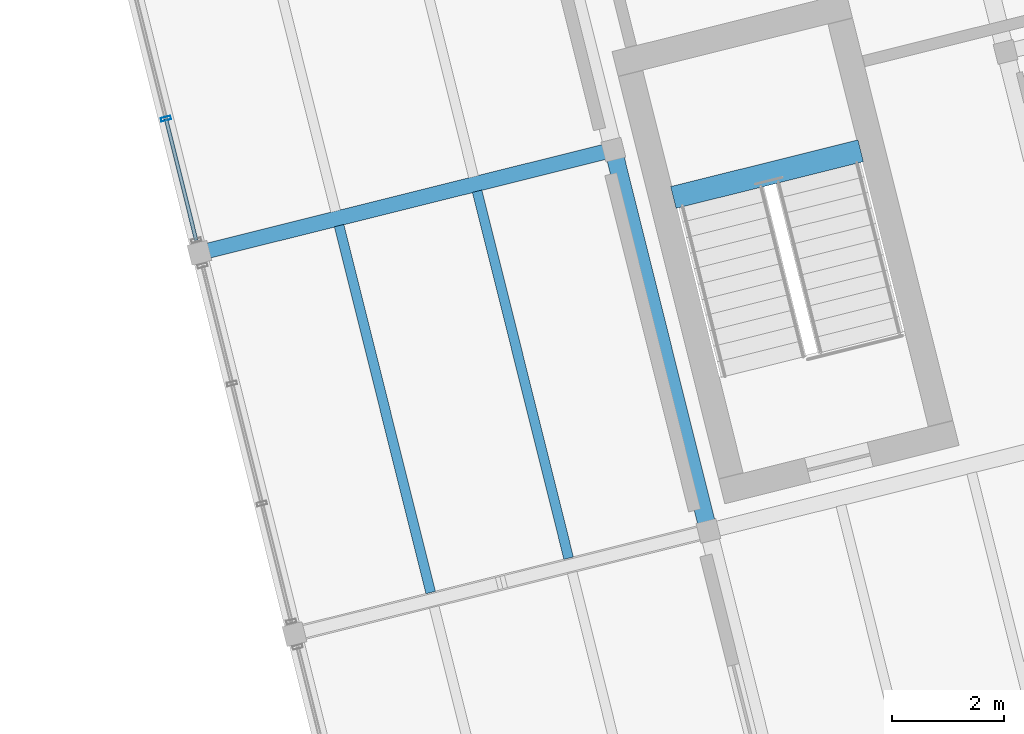
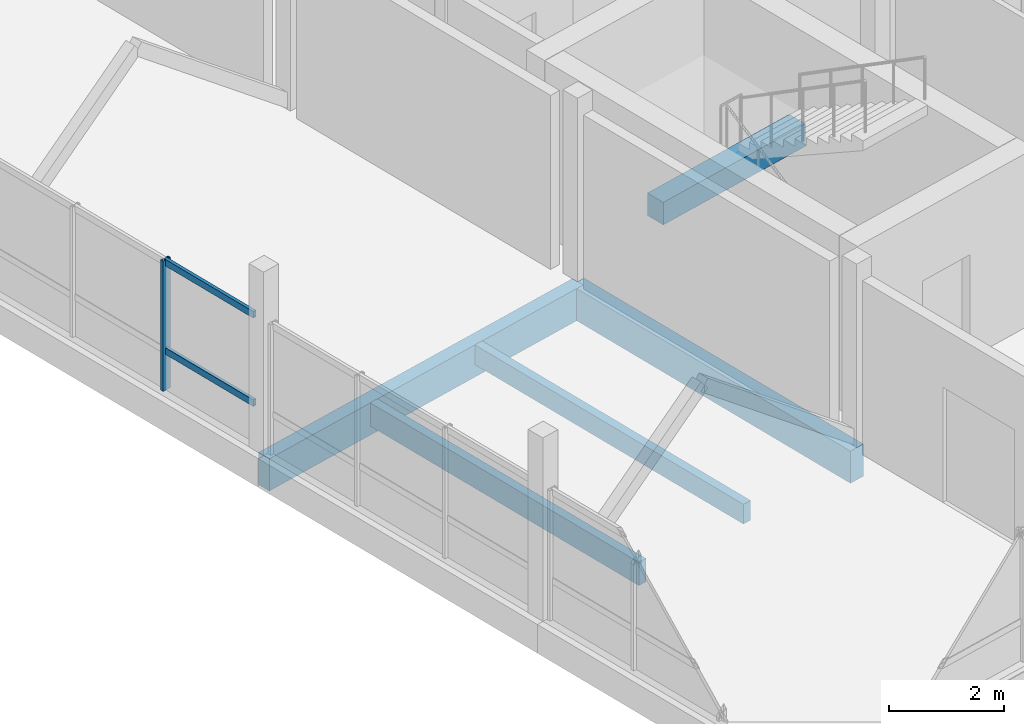
# One storey, part 3 of 26: 5 beams, 3 members, 1 element without a shape of its own.
"""IFC4 building model written with IfcOpenShell, lengths in metres."""

from ifc_helpers import new_model, si_unit, direction, frame, origin, origin_2d, place, context, subcontext, project, spatial, rectangle, hollow_rectangle, extrude, material, layer, layer_set, material_profile, profile_set, type_object, element, aggregate, save


model = new_model("IFC4")

# Units and contexts
model_context = context("Model", 3, precision=1e-05, world=origin(), true_north=direction((0.0, 1.0)))
body_context = subcontext(model_context, "Body", "Model", "MODEL_VIEW")
ifc_project = project(units=[si_unit("LENGTHUNIT", "METRE"), si_unit("AREAUNIT", "SQUARE_METRE"), si_unit("VOLUMEUNIT", "CUBIC_METRE"), si_unit("PLANEANGLEUNIT", "RADIAN"), si_unit("MASSUNIT", "GRAM", prefix="KILO")], contexts=[model_context])

# Site, building, storey
site_placement = place(None, origin())
site = spatial("IfcSite", under=ifc_project, at=site_placement, CompositionType="ELEMENT")
building_placement = place(site_placement, origin())
building = spatial("IfcBuilding", under=site, at=building_placement, Name="Meriwether Solvik Hall", CompositionType="ELEMENT")
storey_placement = place(building_placement, frame((0.0, 0.0, 41.699951171875)))
storey = spatial("IfcBuildingStorey", under=building, at=storey_placement, Name="L10", CompositionType="ELEMENT", Elevation=41.699951171875)

# Beams
ifc_material_1 = material(Name="Glulam Douglas-Fir 24F-V8 GL28h", Category="wood")
ifc_material_profile_1 = material_profile(ifc_material_1, rectangle(XDim=0.27294921875, YDim=0.68505859375, at=origin_2d()), Name="GLB-273X685")
ifc_profile_set_1 = profile_set([ifc_material_profile_1], Name="Glulam Douglas-Fir 24F-V8 GL28h")
beam_type_1 = type_object("IfcBeamType", Name="BM-GL-273X685", PredefinedType="BEAM", material=ifc_profile_set_1)
beam_1_placement = place(storey_placement, frame((65.261474609375, 54.590087890625, -0.5224609375), z_axis=(0.970295366785, 0.241923337436, 0.0), x_axis=(-0.241923337436, 0.970295366785, 0.0)))
element("IfcBeam", 1, at=beam_1_placement, inside=storey, type_object=beam_type_1, Name="Tower Girder TC:T1-T2 (L10)", PredefinedType="BEAM", context=body_context, shape_type="SweptSolid", body=[
    extrude(rectangle(XDim=0.27294921875, YDim=0.68505859375, at=origin_2d()), origin(), (0.0, 0.0, 1.0), 7.60009765625),
])
ifc_material_2 = material(Name="Glulam Douglas-Fir 24F-V8 GL28h", Category="wood")
ifc_material_profile_2 = material_profile(ifc_material_2, rectangle(XDim=0.31494140625, YDim=0.68505859375, at=origin_2d()), Name="GLB-315X685")
ifc_profile_set_2 = profile_set([ifc_material_profile_2], Name="Glulam Douglas-Fir 24F-V8 GL28h")
beam_type_2 = type_object("IfcBeamType", Name="BM-GL-315X685", PredefinedType="BEAM", material=ifc_profile_set_2)
beam_2_placement = place(storey_placement, frame((74.3291015625, 49.63671875, -0.5224609375), z_axis=(-0.241911879182, 0.970298223594, 0.0), x_axis=(-0.970298223594, -0.241911879182, 0.0)))
element("IfcBeam", 2, at=beam_2_placement, inside=storey, type_object=beam_type_2, Name="Tower Girder T2:TB-TC (L10)", PredefinedType="BEAM", context=body_context, shape_type="SweptSolid", body=[
    extrude(rectangle(XDim=0.31494140625, YDim=0.68505859375, at=origin_2d()), origin(), (0.0, 0.0, 1.0), 7.0),
])
ifc_material_3 = material(Name="Concrete C40/50", Category="concrete")
ifc_material_profile_3 = material_profile(ifc_material_3, rectangle(XDim=0.39990234375, YDim=0.47998046875, at=origin_2d()), Name="RCB-400X480")
ifc_profile_set_3 = profile_set([ifc_material_profile_3], Name="Concrete C40/50")
beam_type_3 = type_object("IfcBeamType", Name="BM-LND-RC-400X480", PredefinedType="BEAM", material=ifc_profile_set_3)
beam_3_placement = place(storey_placement, frame((73.70361328125, 55.57666015625, 1.510009765625), z_axis=(0.970288447449, 0.24195108751, 0.0), x_axis=(-0.24195108751, 0.970288447449, 0.0)))
element("IfcBeam", 3, at=beam_3_placement, inside=storey, type_object=beam_type_3, Name="Stair ST-01 Half-Landing Header Beam (L10)", PredefinedType="BEAM", context=body_context, shape_type="SweptSolid", body=[
    extrude(rectangle(XDim=0.39990234375, YDim=0.47998046875, at=origin_2d()), origin(), (0.0, 0.0, 1.0), 3.43994140625),
])

# Curtain wall, members
ifc_material_4 = material(Name="Thermally Broken Anodised Aluminium 6063-T6 and Low-E Glass", Category="aluminium")
ifc_layer = layer(ifc_material_4, 0.179931640625)
ifc_layer_set = layer_set([ifc_layer], Name="Thermally Broken Anodised Aluminium 6063-T6 and Low-E Glass")
curtain_wall_type = type_object("IfcCurtainWallType", Name="CW-UNIT-C", PredefinedType="USERDEFINED", material=ifc_layer_set)
curtain_wall_placement = place(storey_placement, origin())
curtain_wall = element("IfcCurtainWall", 4, at=curtain_wall_placement, inside=storey, type_object=curtain_wall_type, Name="Curtain Wall E7_B2 (L10)", ObjectType="UNITISED CURTAIN WALL", PredefinedType="USERDEFINED")
ifc_material_5 = material(Name="Anodised Aluminium 6063-T6", Category="aluminium")
ifc_material_profile_4 = material_profile(ifc_material_5, hollow_rectangle(XDim=0.06494140625, YDim=0.179931640625, WallThickness=0.00439453125, at=origin_2d()), Name="CWM-65X180")
ifc_profile_set_4 = profile_set([ifc_material_profile_4], Name="Anodised Aluminium 6063-T6")
member_type_1 = type_object("IfcMemberType", Name="CW-MUL-65X180", PredefinedType="MULLION", material=ifc_profile_set_4)
member_1_placement = place(storey_placement, frame((64.665283203125, 56.981689453125, 0.0), z_axis=(0.0, 0.0, 1.0), x_axis=(-0.241921897937, 0.970295725693, 0.0)))
member_1 = element("IfcMember", 5, at=member_1_placement, type_object=member_type_1, Name="Curtain Wall Mullion 2", PredefinedType="MULLION", context=body_context, shape_type="SweptSolid", body=[
    extrude(hollow_rectangle(XDim=0.06494140625, YDim=0.179931640625, WallThickness=0.00439453125, at=origin_2d()), origin(), (0.0, 0.0, 1.0), 2.77001953125),
])
ifc_material_6 = material(Name="Anodised Aluminium 6063-T6", Category="aluminium")
ifc_material_profile_5 = material_profile(ifc_material_6, hollow_rectangle(XDim=0.06494140625, YDim=0.139892578125, WallThickness=0.00439453125, at=origin_2d()), Name="CWT-65X140")
ifc_profile_set_5 = profile_set([ifc_material_profile_5], Name="Anodised Aluminium 6063-T6")
member_type_2 = type_object("IfcMemberType", Name="CW-TRN-65X140", PredefinedType="USERDEFINED", material=ifc_profile_set_5)
member_2_placement = place(storey_placement, frame((65.205322265625, 54.815673828125, 0.8310546875), z_axis=(-0.241917978668, 0.970296702868, 0.0), x_axis=(-0.970296702868, -0.241917978668, 0.0)))
member_2 = element("IfcMember", 6, at=member_2_placement, type_object=member_type_2, Name="Curtain Wall Transom 1-sill", ObjectType="TRANSOM", PredefinedType="USERDEFINED", context=body_context, shape_type="SweptSolid", body=[
    extrude(hollow_rectangle(XDim=0.06494140625, YDim=0.139892578125, WallThickness=0.00439453125, at=origin_2d()), origin(), (0.0, 0.0, 1.0), 2.232421875),
])
member_3_placement = place(storey_placement, frame((65.205322265625, 54.815673828125, 2.7099609375), z_axis=(-0.241917978668, 0.970296702868, 0.0), x_axis=(-0.970296702868, -0.241917978668, 0.0)))
member_3 = element("IfcMember", 7, at=member_3_placement, type_object=member_type_2, Name="Curtain Wall Transom 1-head", ObjectType="TRANSOM", PredefinedType="USERDEFINED", context=body_context, shape_type="SweptSolid", body=[
    extrude(hollow_rectangle(XDim=0.06494140625, YDim=0.139892578125, WallThickness=0.00439453125, at=origin_2d()), origin(), (0.0, 0.0, 1.0), 2.232421875),
])
aggregate(curtain_wall, [member_1, member_2, member_3])

# Beams
ifc_material_7 = material(Name="Glulam Douglas-Fir 24F-V8 GL28h", Category="wood")
ifc_material_profile_6 = material_profile(ifc_material_7, rectangle(XDim=0.175048828125, YDim=0.419921875, at=origin_2d()), Name="GLJ-175X420")
ifc_profile_set_6 = profile_set([ifc_material_profile_6], Name="Glulam Douglas-Fir 24F-V8 GL28h")
beam_type_4 = type_object("IfcBeamType", Name="JST-GL-175X420", PredefinedType="JOIST", material=ifc_profile_set_6)
beam_4_placement = place(storey_placement, frame((71.83935546875, 49.1513671875, -0.389892578125), z_axis=(-0.241930176813, 0.9702936615, 0.0), x_axis=(-0.9702936615, -0.241930176813, 0.0)))
element("IfcBeam", 8, at=beam_4_placement, inside=storey, type_object=beam_type_4, Name="Glulam Floor Joist T1/TB-J2 (L10)", PredefinedType="JOIST", context=body_context, shape_type="SweptSolid", body=[
    extrude(rectangle(XDim=0.175048828125, YDim=0.419921875, at=origin_2d()), origin(), (0.0, 0.0, 1.0), 6.737060546875),
])
ifc_material_8 = material(Name="Glulam Douglas-Fir 24F-V8 GL28h", Category="wood")
ifc_material_profile_7 = material_profile(ifc_material_8, rectangle(XDim=0.175048828125, YDim=0.4951171875, at=origin_2d()), Name="GLJ-175X495")
ifc_profile_set_7 = profile_set([ifc_material_profile_7], Name="Glulam Douglas-Fir 24F-V8 GL28h")
beam_type_5 = type_object("IfcBeamType", Name="JST-GL-175X495", PredefinedType="JOIST", material=ifc_profile_set_7)
beam_5_placement = place(storey_placement, frame((69.381103515625, 48.53857421875, -0.427490234375), z_axis=(-0.241930176813, 0.9702936615, 0.0), x_axis=(-0.9702936615, -0.241930176813, 0.0)))
element("IfcBeam", 9, at=beam_5_placement, inside=storey, type_object=beam_type_5, Name="Glulam Floor Joist T1/TB-J1 (L10)", PredefinedType="JOIST", context=body_context, shape_type="SweptSolid", body=[
    extrude(rectangle(XDim=0.175048828125, YDim=0.4951171875, at=origin_2d()), origin(), (0.0, 0.0, 1.0), 6.737060546875),
])

save(model, "model.ifc")
